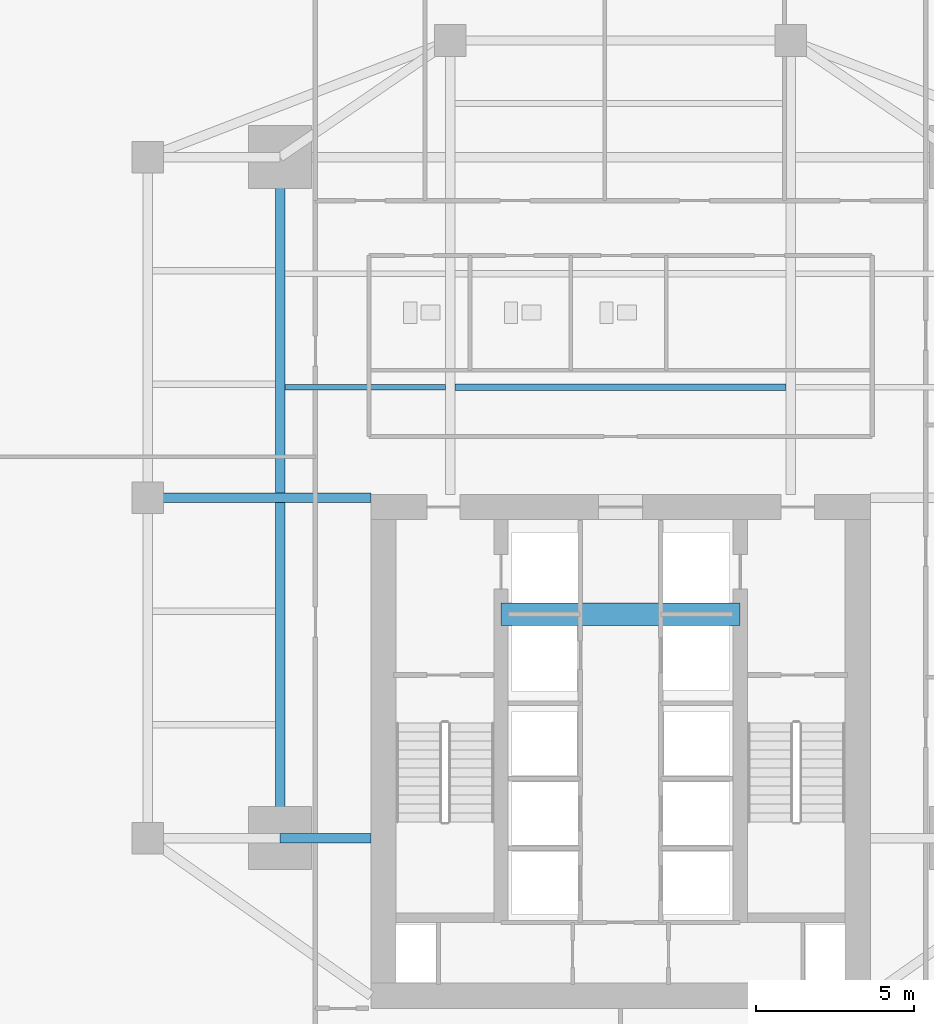
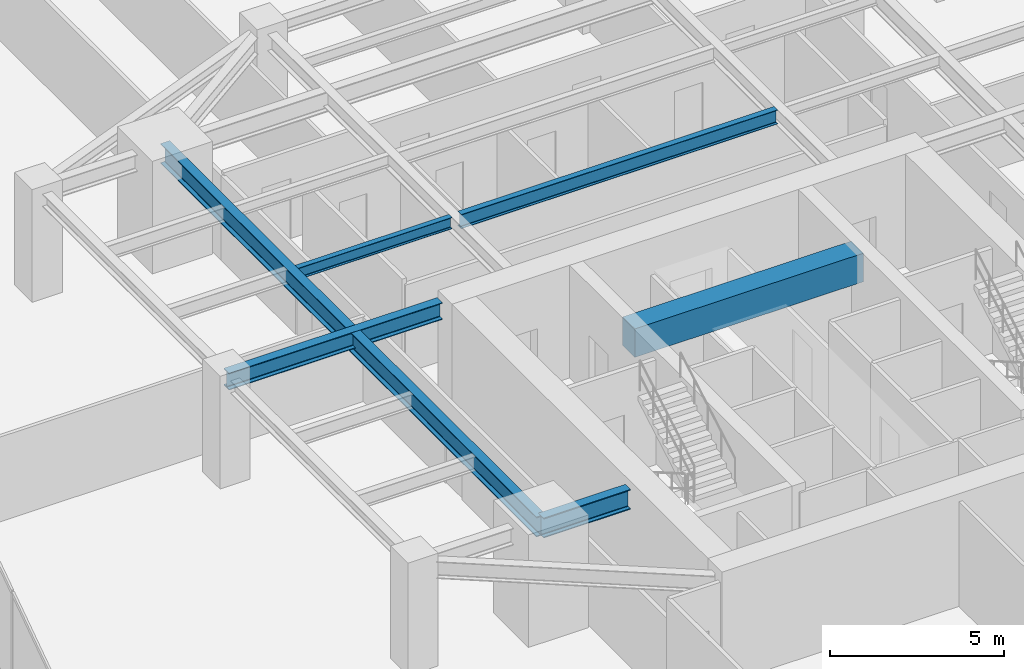
# One storey, part 9 of 27: 6 beams.
"""IFC4 building model written with IfcOpenShell, lengths in metres."""

from ifc_helpers import new_model, si_unit, direction, frame, origin, origin_2d, place, context, subcontext, project, spatial, rectangle, i_section, extrude, source, transform, mapped, material, material_profile, profile_set, type_object, type_shapes, element, save


model = new_model("IFC4")

# Units and contexts
model_context = context("Model", 3, precision=1e-05, world=origin(), true_north=direction((0.0, 1.0)))
body_context = subcontext(model_context, "Body", "Model", "MODEL_VIEW")
ifc_project = project(units=[si_unit("LENGTHUNIT", "METRE"), si_unit("AREAUNIT", "SQUARE_METRE"), si_unit("VOLUMEUNIT", "CUBIC_METRE"), si_unit("PLANEANGLEUNIT", "RADIAN"), si_unit("MASSUNIT", "GRAM", prefix="KILO")], contexts=[model_context])

# Site, building, storey
site_placement = place(None, origin())
site = spatial("IfcSite", under=ifc_project, at=site_placement, CompositionType="ELEMENT")
building_placement = place(site_placement, origin())
building = spatial("IfcBuilding", under=site, at=building_placement, Name="Krantzveldt Concourse Tower", CompositionType="ELEMENT")
storey_placement = place(building_placement, frame((0.0, 0.0, 105.85009765625)))
storey = spatial("IfcBuildingStorey", under=building, at=storey_placement, Name="L25", CompositionType="ELEMENT", Elevation=105.85009765625)

# Beams
ifc_material_1 = material(Name="Steel S355J2", Category="steel")
ifc_material_profile_1 = material_profile(ifc_material_1, i_section(OverallWidth=0.300048828125, OverallDepth=0.699951171875, WebThickness=0.01708984375, FlangeThickness=0.031982421875, FilletRadius=0.027099609375, at=origin_2d()), Name="Steel S355J2", Category="steel")
ifc_profile_set_1 = profile_set([ifc_material_profile_1], Name="Steel S355J2 - HEB 700")
beam_type_1 = type_object("IfcBeamType", Name="BM-B-HEB700", PredefinedType="BEAM", material=ifc_profile_set_1)
shared_shape_1 = source(origin(), body_context, "Body", "SweptSolid", [
    extrude(i_section(OverallWidth=0.300048828125, OverallDepth=0.699951171875, WebThickness=0.01708984375, FlangeThickness=0.031982421875, FilletRadius=0.027099609375, at=origin_2d()), origin(), (0.0, 0.0, 1.0), 2.880126953125),
])
beam_1_placement = place(storey_placement, frame((25.199951171875, 15.89990234375, 3.31982421875), z_axis=(1.0, 0.0, 0.0), x_axis=(0.0, 1.0, 0.0)))
element("IfcBeam", 1, at=beam_1_placement, inside=storey, type_object=beam_type_1, Name="L25 Tower Girder BG-CW1", PredefinedType="BEAM", context=body_context, shape_type="MappedRepresentation", body=[
    mapped(shared_shape_1, transform((0.0, 0.0, 0.0), x_axis=(1.0, 0.0, 0.0), y_axis=(0.0, 1.0, 0.0), z_axis=(0.0, 0.0, 1.0), scale=1.0)),
])
shared_shape_2 = source(origin(), body_context, "Body", "SweptSolid", [
    extrude(i_section(OverallWidth=0.300048828125, OverallDepth=0.699951171875, WebThickness=0.01708984375, FlangeThickness=0.031982421875, FilletRadius=0.027099609375, at=origin_2d()), origin(), (0.0, 0.0, 1.0), 21.60009765625),
])
type_shapes(beam_type_1, [shared_shape_1, shared_shape_2])
beam_2_placement = place(storey_placement, frame((25.199951171875, 15.89990234375, 3.31982421875), z_axis=(0.0, 1.0, 0.0), x_axis=(-1.0, 0.0, 0.0)))
element("IfcBeam", 2, at=beam_2_placement, inside=storey, type_object=beam_type_1, Name="L25 Tower Girder BG-MW", PredefinedType="BEAM", context=body_context, shape_type="MappedRepresentation", body=[
    mapped(shared_shape_2, transform((0.0, 0.0, 0.0), x_axis=(1.0, 0.0, 0.0), y_axis=(0.0, 1.0, 0.0), z_axis=(0.0, 0.0, 1.0), scale=1.0)),
])
ifc_material_2 = material(Name="Steel S355JR", Category="steel")
ifc_material_profile_2 = material_profile(ifc_material_2, i_section(OverallWidth=0.300048828125, OverallDepth=0.590087890625, WebThickness=0.012939453125, FlangeThickness=0.02490234375, FilletRadius=0.027099609375, at=origin_2d()), Name="Steel S355JR", Category="steel")
ifc_profile_set_2 = profile_set([ifc_material_profile_2], Name="Steel S355JR - HEA 600")
beam_type_2 = type_object("IfcBeamType", Name="BM-B-HEA600", PredefinedType="BEAM", material=ifc_profile_set_2)
shared_shape_3 = source(origin(), body_context, "Body", "SweptSolid", [
    extrude(i_section(OverallWidth=0.300048828125, OverallDepth=0.590087890625, WebThickness=0.012939453125, FlangeThickness=0.02490234375, FilletRadius=0.027099609375, at=origin_2d()), origin(), (0.0, 0.0, 1.0), 7.080078125),
])
type_shapes(beam_type_2, [shared_shape_3])
beam_3_placement = place(storey_placement, frame((21.0, 26.699951171875, 3.375), z_axis=(1.0, 0.0, 0.0), x_axis=(0.0, 1.0, 0.0)))
element("IfcBeam", 3, at=beam_3_placement, inside=storey, type_object=beam_type_2, Name="L25 Tower Girder BG-CW2", PredefinedType="BEAM", context=body_context, shape_type="MappedRepresentation", body=[
    mapped(shared_shape_3, transform((0.0, 0.0, 0.0), x_axis=(1.0, 0.0, 0.0), y_axis=(0.0, 1.0, 0.0), z_axis=(0.0, 0.0, 1.0), scale=1.0)),
])
ifc_material_profile_3 = material_profile(ifc_material_2, i_section(OverallWidth=0.199951171875, OverallDepth=0.5, WebThickness=0.01025390625, FlangeThickness=0.01611328125, FilletRadius=0.02099609375, at=origin_2d()), Name="Steel S355JR", Category="steel")
ifc_profile_set_3 = profile_set([ifc_material_profile_3], Name="Steel S355JR - IPE 500")
beam_type_3 = type_object("IfcBeamType", Name="BM-J-IPE500", PredefinedType="JOIST", material=ifc_profile_set_3)
shared_shape_4 = source(origin(), body_context, "Body", "SweptSolid", [
    extrude(i_section(OverallWidth=0.199951171875, OverallDepth=0.5, WebThickness=0.01025390625, FlangeThickness=0.01611328125, FilletRadius=0.02099609375, at=origin_2d()), origin(), (0.0, 0.0, 1.0), 10.5),
])
type_shapes(beam_type_3, [shared_shape_4])
beam_4_placement = place(storey_placement, frame((30.75, 30.199951171875, 3.419921875), z_axis=(1.0, 0.0, 0.0), x_axis=(0.0, 1.0, 0.0)))
element("IfcBeam", 4, at=beam_4_placement, inside=storey, type_object=beam_type_3, Name="L25 Secondary Floor Joist JN-C1", PredefinedType="JOIST", context=body_context, shape_type="MappedRepresentation", body=[
    mapped(shared_shape_4, transform((0.0, 0.0, 0.0), x_axis=(1.0, 0.0, 0.0), y_axis=(0.0, 1.0, 0.0), z_axis=(0.0, 0.0, 1.0), scale=1.0)),
])
ifc_material_profile_4 = material_profile(ifc_material_2, i_section(OverallWidth=0.179931640625, OverallDepth=0.39990234375, WebThickness=0.008544921875, FlangeThickness=0.013427734375, FilletRadius=0.02099609375, at=origin_2d()), Name="Steel S355JR", Category="steel")
ifc_profile_set_4 = profile_set([ifc_material_profile_4], Name="Steel S355JR - IPE 400")
beam_type_4 = type_object("IfcBeamType", Name="BM-J-IPE400", PredefinedType="JOIST", material=ifc_profile_set_4)
shared_shape_5 = source(origin(), body_context, "Body", "SweptSolid", [
    extrude(i_section(OverallWidth=0.179931640625, OverallDepth=0.39990234375, WebThickness=0.008544921875, FlangeThickness=0.013427734375, FilletRadius=0.02099609375, at=origin_2d()), origin(), (0.0, 0.0, 1.0), 5.099853515625),
])
type_shapes(beam_type_4, [shared_shape_5])
beam_5_placement = place(storey_placement, frame((25.35009765625, 30.199951171875, 3.469970703125), z_axis=(1.0, 0.0, 0.0), x_axis=(0.0, 1.0, 0.0)))
element("IfcBeam", 5, at=beam_5_placement, inside=storey, type_object=beam_type_4, Name="L25 Secondary Floor Joist JN-W1", PredefinedType="JOIST", context=body_context, shape_type="MappedRepresentation", body=[
    mapped(shared_shape_5, transform((0.0, 0.0, 0.0), x_axis=(1.0, 0.0, 0.0), y_axis=(0.0, 1.0, 0.0), z_axis=(0.0, 0.0, 1.0), scale=1.0)),
])
ifc_material_3 = material(Name="Concrete C50/60", Category="concrete")
ifc_material_profile_5 = material_profile(ifc_material_3, rectangle(XDim=0.699951171875, YDim=1.0, at=origin_2d()), Name="Concrete C50/60", Category="concrete")
ifc_profile_set_5 = profile_set([ifc_material_profile_5], Name="Concrete C50/60 - RC-CB 700x1000")
beam_type_5 = type_object("IfcBeamType", Name="BM-CB-1000", PredefinedType="LINTEL", material=ifc_profile_set_5)
shared_shape_6 = source(origin(), body_context, "Body", "SweptSolid", [
    extrude(rectangle(XDim=0.699951171875, YDim=1.0, at=origin_2d()), origin(), (0.0, 0.0, 1.0), 7.580078125),
])
type_shapes(beam_type_5, [shared_shape_6])
beam_6_placement = place(storey_placement, frame((32.2099609375, 23.0, 3.169921875), z_axis=(1.0, 0.0, 0.0), x_axis=(0.0, 1.0, 0.0)))
element("IfcBeam", 6, at=beam_6_placement, inside=storey, type_object=beam_type_5, Name="CB-L25-01", PredefinedType="LINTEL", context=body_context, shape_type="MappedRepresentation", body=[
    mapped(shared_shape_6, transform((0.0, 0.0, 0.0), x_axis=(1.0, 0.0, 0.0), y_axis=(0.0, 1.0, 0.0), z_axis=(0.0, 0.0, 1.0), scale=1.0)),
])

save(model, "model.ifc")
